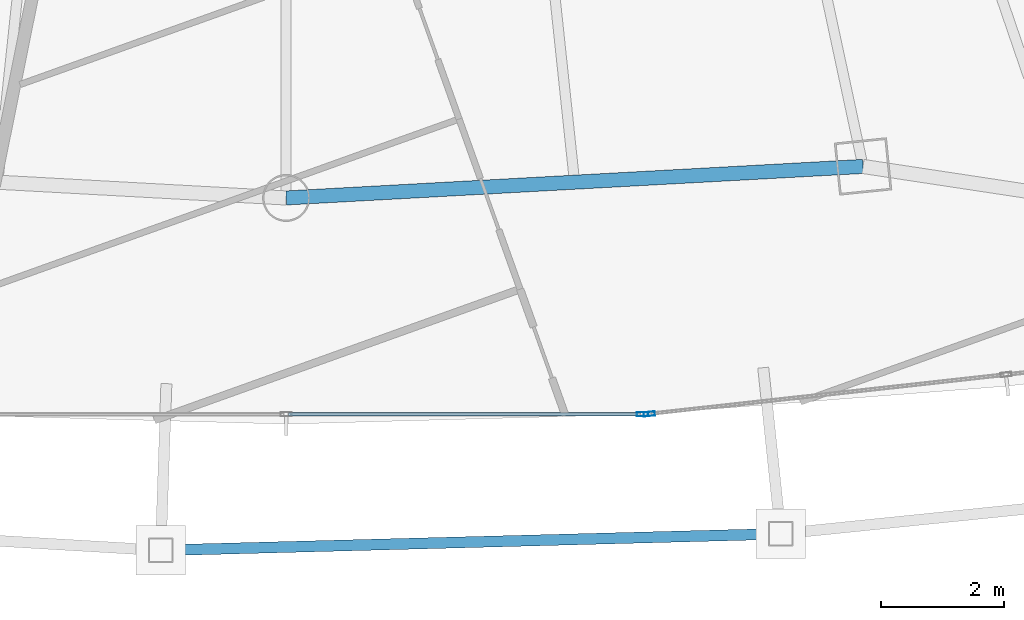
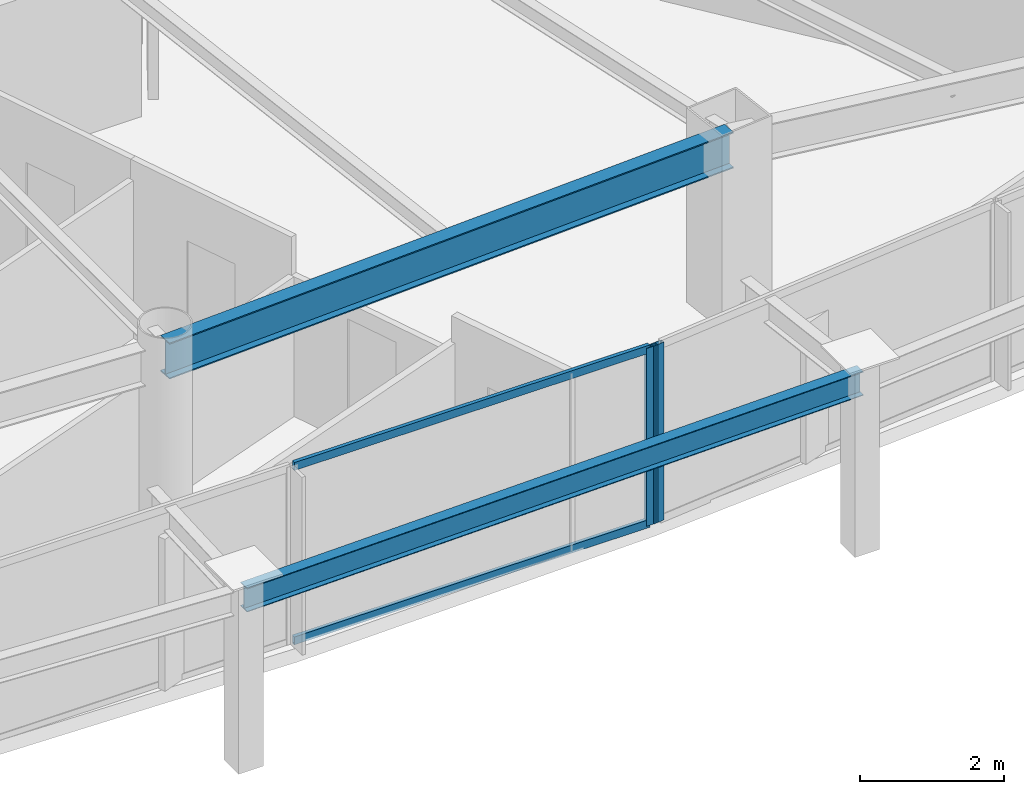
# One storey, part 8 of 30: 4 members, 2 beams, 2 elements without a shape of their own.
"""IFC4 building model written with IfcOpenShell, lengths in metres."""

from ifc_helpers import new_model, si_unit, direction, frame, origin, origin_2d, place, context, subcontext, project, spatial, hollow_rectangle, i_section, extrude, material, layer, layer_set, material_profile, profile_set, type_object, element, aggregate, save


model = new_model("IFC4")

# Units and contexts
model_context = context("Model", 3, precision=1e-05, world=origin(), true_north=direction((0.0, 1.0)))
body_context = subcontext(model_context, "Body", "Model", "MODEL_VIEW")
ifc_project = project(units=[si_unit("LENGTHUNIT", "METRE"), si_unit("AREAUNIT", "SQUARE_METRE"), si_unit("VOLUMEUNIT", "CUBIC_METRE"), si_unit("PLANEANGLEUNIT", "RADIAN"), si_unit("MASSUNIT", "GRAM", prefix="KILO")], contexts=[model_context])

# Site, building, storey
site_placement = place(None, origin())
site = spatial("IfcSite", under=ifc_project, at=site_placement, CompositionType="ELEMENT")
building_placement = place(site_placement, origin())
building = spatial("IfcBuilding", under=site, at=building_placement, Name="Orvanel Arch Residences", CompositionType="ELEMENT")
storey_placement = place(building_placement, frame((0.0, 0.0, 143.0)))
storey = spatial("IfcBuildingStorey", under=building, at=storey_placement, Name="L40", CompositionType="ELEMENT", Elevation=143.0)

# Curtain wall, member
ifc_material_1 = material(Name="Bronze-anodised aluminium AA6063-T6", Category="aluminium")
ifc_layer = layer(ifc_material_1, 0.179931640625)
ifc_layer_set = layer_set([ifc_layer], Name="Bronze-anodised aluminium AA6063-T6")
curtain_wall_type = type_object("IfcCurtainWallType", Name="CW3-MID-SYS", PredefinedType="NOTDEFINED", material=ifc_layer_set)
curtain_wall_1_placement = place(storey_placement, origin())
curtain_wall_1 = element("IfcCurtainWall", 1, at=curtain_wall_1_placement, inside=storey, type_object=curtain_wall_type, Name="L40 CW3-MID-SYS Unitised Curtain Wall", PredefinedType="NOTDEFINED")
ifc_material_profile_1 = material_profile(ifc_material_1, hollow_rectangle(XDim=0.070068359375, YDim=0.179931640625, WallThickness=0.00439453125, at=origin_2d()), Name="ALU180x70x4.5")
ifc_profile_set_1 = profile_set([ifc_material_profile_1], Name="Bronze-anodised aluminium AA6063-T6")
member_type_1 = type_object("IfcMemberType", Name="MUL-180x70", PredefinedType="MULLION", material=ifc_profile_set_1)
member_1_placement = place(storey_placement, frame((38.77587890625, 3.3369140625, 0.0), z_axis=(0.0, 0.0, 1.0), x_axis=(0.0, 1.0, 0.0)))
member_1 = element("IfcMember", 2, at=member_1_placement, type_object=member_type_1, Name="CW-S3 mullion 3", PredefinedType="MULLION", context=body_context, shape_type="SweptSolid", body=[
    extrude(hollow_rectangle(XDim=0.070068359375, YDim=0.179931640625, WallThickness=0.00439453125, at=origin_2d()), origin(), (0.0, 0.0, 1.0), 3.02001953125),
])

curtain_wall_2_placement = place(storey_placement, origin())
curtain_wall_2 = element("IfcCurtainWall", 3, at=curtain_wall_2_placement, inside=storey, type_object=curtain_wall_type, Name="L40 CW3-MID-SYS Unitised Curtain Wall", PredefinedType="NOTDEFINED")
member_2_placement = place(storey_placement, frame((38.8857421875, 3.3427734375, 0.0), z_axis=(0.0, 0.0, 1.0), x_axis=(-0.109856452012, 0.993947463376, 0.0)))
member_2 = element("IfcMember", 4, at=member_2_placement, type_object=member_type_1, Name="CW-S3 mullion 1", PredefinedType="MULLION", context=body_context, shape_type="SweptSolid", body=[
    extrude(hollow_rectangle(XDim=0.070068359375, YDim=0.179931640625, WallThickness=0.00439453125, at=origin_2d()), origin(), (0.0, 0.0, 1.0), 3.02001953125),
])
aggregate(curtain_wall_2, [member_2])

# Beams
ifc_material_2 = material(Name="Structural steel AS/NZS 3679.1 Grade 300 (300 MPa)", Category="steel")
ifc_material_profile_2 = material_profile(ifc_material_2, i_section(OverallWidth=0.177978515625, OverallDepth=0.406005859375, WebThickness=0.0078125, FlangeThickness=0.0126953125, at=origin_2d()), Name="410UB59.7")
ifc_profile_set_2 = profile_set([ifc_material_profile_2], Name="Structural steel AS/NZS 3679.1 Grade 300 (300 MPa)")
beam_type_1 = type_object("IfcBeamType", Name="OB-410UB-EXT", PredefinedType="SPANDREL", material=ifc_profile_set_2)
beam_1_placement = place(storey_placement, frame((30.967041015625, 1.132080078125, 2.81689453125), z_axis=(0.999645039407, 0.026641981687, 0.0), x_axis=(-0.026641981687, 0.999645039407, 0.0)))
element("IfcBeam", 5, at=beam_1_placement, inside=storey, type_object=beam_type_1, Name="L40 Outer Perimeter Floor Ring Beam 06", PredefinedType="SPANDREL", context=body_context, shape_type="SweptSolid", body=[
    extrude(i_section(OverallWidth=0.177978515625, OverallDepth=0.406005859375, WebThickness=0.0078125, FlangeThickness=0.0126953125, at=origin_2d()), origin(), (0.0, 0.0, 1.0), 10.052734375),
])
ifc_material_profile_3 = material_profile(ifc_material_2, i_section(OverallWidth=0.22900390625, OverallDepth=0.612060546875, WebThickness=0.011962890625, FlangeThickness=0.01953125, at=origin_2d()), Name="610UB125")
ifc_profile_set_3 = profile_set([ifc_material_profile_3], Name="Structural steel AS/NZS 3679.1 Grade 300 (300 MPa)")
beam_type_2 = type_object("IfcBeamType", Name="SP-610UB", PredefinedType="SPANDREL", material=ifc_profile_set_3)
beam_2_placement = place(storey_placement, frame((33.0, 6.843994140625, 2.714111328125), z_axis=(0.998510315598, 0.054563262768, 0.0), x_axis=(-0.054563262768, 0.998510315598, 0.0)))
element("IfcBeam", 6, at=beam_2_placement, inside=storey, type_object=beam_type_2, Name="L40 Perimeter Spandrel Beam 06", PredefinedType="SPANDREL", context=body_context, shape_type="SweptSolid", body=[
    extrude(i_section(OverallWidth=0.22900390625, OverallDepth=0.612060546875, WebThickness=0.011962890625, FlangeThickness=0.01953125, at=origin_2d()), origin(), (0.0, 0.0, 1.0), 9.364990234375),
])

# Member
ifc_material_profile_4 = material_profile(ifc_material_1, hollow_rectangle(XDim=0.06005859375, YDim=0.135009765625, WallThickness=0.00390625, at=origin_2d()), Name="ALU135x60x4")
ifc_profile_set_4 = profile_set([ifc_material_profile_4], Name="Bronze-anodised aluminium AA6063-T6")
member_type_2 = type_object("IfcMemberType", Name="TRN-135x60", PredefinedType="USERDEFINED", material=ifc_profile_set_4)
member_3_placement = place(storey_placement, frame((33.034912109375, 3.3369140625, 0.030029296875), z_axis=(1.0, 0.0, 0.0), x_axis=(0.0, 1.0, 0.0)))
member_3 = element("IfcMember", 7, at=member_3_placement, type_object=member_type_2, Name="CW-S3 transom 2.1", ObjectType="TRANSOM", PredefinedType="USERDEFINED", context=body_context, shape_type="SweptSolid", body=[
    extrude(hollow_rectangle(XDim=0.06005859375, YDim=0.135009765625, WallThickness=0.00390625, at=origin_2d()), origin(), (0.0, 0.0, 1.0), 5.7060546875),
])

member_4_placement = place(storey_placement, frame((33.034912109375, 3.3369140625, 2.989990234375), z_axis=(1.0, 0.0, 0.0), x_axis=(0.0, 1.0, 0.0)))
member_4 = element("IfcMember", 8, at=member_4_placement, type_object=member_type_2, Name="CW-S3 transom 2.2", ObjectType="TRANSOM", PredefinedType="USERDEFINED", context=body_context, shape_type="SweptSolid", body=[
    extrude(hollow_rectangle(XDim=0.06005859375, YDim=0.135009765625, WallThickness=0.00390625, at=origin_2d()), origin(), (0.0, 0.0, 1.0), 5.7060546875),
])

aggregate(curtain_wall_1, [member_1, member_3, member_4])

save(model, "model.ifc")
